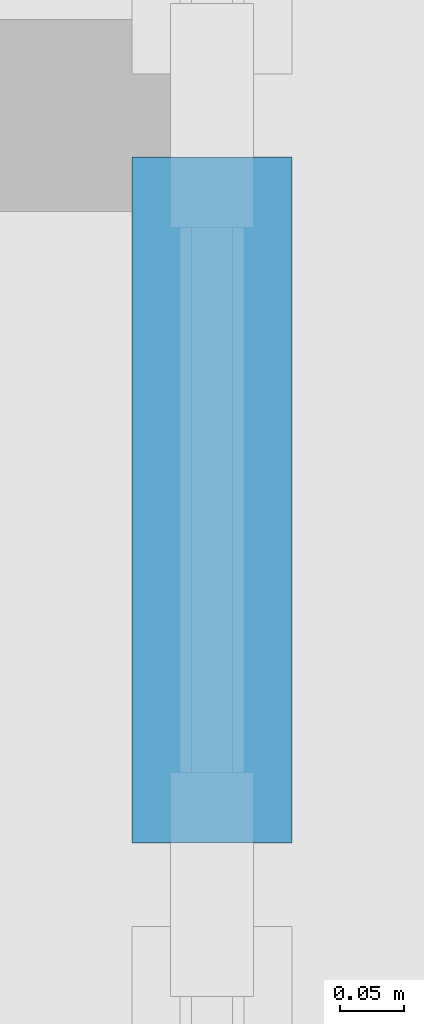
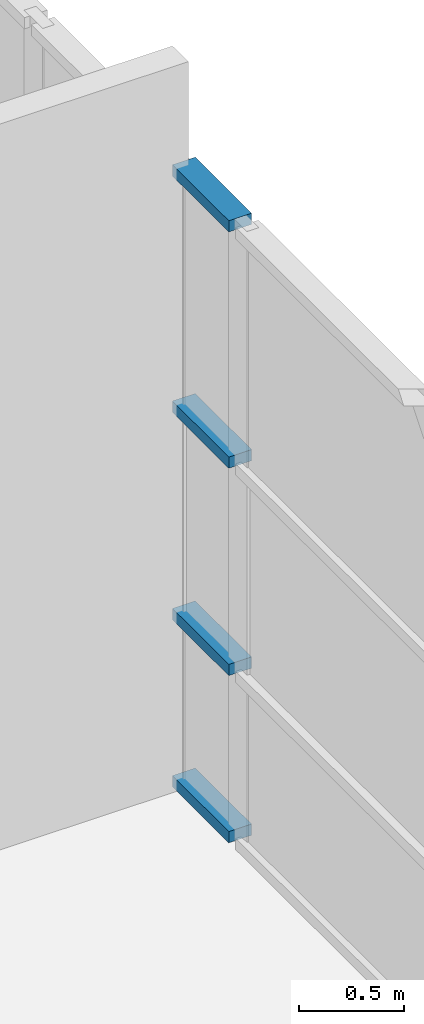
# One storey, part 13 of 64: 4 members, 1 element without a shape of its own.
"""IFC4 building model written with IfcOpenShell, lengths in metres."""

from ifc_helpers import new_model, si_unit, direction, frame, origin, origin_2d, place, context, subcontext, project, spatial, rectangle, extrude, material, layer, layer_set, material_profile, profile_set, type_object, element, aggregate, save


model = new_model("IFC4")

# Units and contexts
model_context = context("Model", 3, precision=1e-05, world=origin(), true_north=direction((0.0, 1.0)))
body_context = subcontext(model_context, "Body", "Model", "MODEL_VIEW")
ifc_project = project(units=[si_unit("LENGTHUNIT", "METRE"), si_unit("AREAUNIT", "SQUARE_METRE"), si_unit("VOLUMEUNIT", "CUBIC_METRE"), si_unit("PLANEANGLEUNIT", "RADIAN"), si_unit("MASSUNIT", "GRAM", prefix="KILO")], contexts=[model_context])

# Site, building, storey
site_placement = place(None, origin())
site = spatial("IfcSite", under=ifc_project, at=site_placement, CompositionType="ELEMENT")
building_placement = place(site_placement, origin())
building = spatial("IfcBuilding", under=site, at=building_placement, Name="Rulbaag Community and Learning Centre", CompositionType="ELEMENT")
storey_placement = place(building_placement, frame((0.0, 0.0, 5.39990234375)))
storey = spatial("IfcBuildingStorey", under=building, at=storey_placement, Name="L01", CompositionType="ELEMENT", Elevation=5.39990234375)

# Curtain wall, members
ifc_material_1 = material(Name="Aluminium", Category="aluminium")
ifc_layer = layer(ifc_material_1, 0.14990234375)
ifc_layer_set = layer_set([ifc_layer], Name="CW-L")
curtain_wall_type = type_object("IfcCurtainWallType", Name="CW-L", PredefinedType="USERDEFINED", material=ifc_layer_set)
curtain_wall_placement = place(storey_placement, origin())
curtain_wall = element("IfcCurtainWall", 1, at=curtain_wall_placement, inside=storey, type_object=curtain_wall_type, Name="GL-L01-08", ObjectType="STICK CURTAIN WALL", PredefinedType="USERDEFINED")
ifc_material_2 = material(Name="Aluminium transom", Category="aluminium")
ifc_material_profile = material_profile(ifc_material_2, rectangle(XDim=0.125, YDim=0.06494140625, at=origin_2d()), Name="AL 65x125 T")
ifc_profile_set = profile_set([ifc_material_profile], Name="Aluminium transom")
member_type = type_object("IfcMemberType", Name="CW-L-TRN", PredefinedType="USERDEFINED", material=ifc_profile_set)
member_1_placement = place(storey_placement, frame((168.0, 12.632568359375, 0.03271484375), z_axis=(0.0, 1.0, 0.0), x_axis=(-1.0, 0.0, 0.0)))
member_1 = element("IfcMember", 2, at=member_1_placement, type_object=member_type, Name="GL transom 3.1", ObjectType="TRANSOM", PredefinedType="USERDEFINED", context=body_context, shape_type="SweptSolid", body=[
    extrude(rectangle(XDim=0.125, YDim=0.06494140625, at=origin_2d()), origin(), (0.0, 0.0, 1.0), 0.534912109375),
])
member_2_placement = place(storey_placement, frame((168.0, 12.632568359375, 1.0), z_axis=(0.0, 1.0, 0.0), x_axis=(-1.0, 0.0, 0.0)))
member_2 = element("IfcMember", 3, at=member_2_placement, type_object=member_type, Name="GL transom 3.2", ObjectType="TRANSOM", PredefinedType="USERDEFINED", context=body_context, shape_type="SweptSolid", body=[
    extrude(rectangle(XDim=0.125, YDim=0.06494140625, at=origin_2d()), origin(), (0.0, 0.0, 1.0), 0.534912109375),
])
member_3_placement = place(storey_placement, frame((168.0, 12.632568359375, 2.2001953125), z_axis=(0.0, 1.0, 0.0), x_axis=(-1.0, 0.0, 0.0)))
member_3 = element("IfcMember", 4, at=member_3_placement, type_object=member_type, Name="GL transom 3.3", ObjectType="TRANSOM", PredefinedType="USERDEFINED", context=body_context, shape_type="SweptSolid", body=[
    extrude(rectangle(XDim=0.125, YDim=0.06494140625, at=origin_2d()), origin(), (0.0, 0.0, 1.0), 0.534912109375),
])
member_4_placement = place(storey_placement, frame((168.0, 12.632568359375, 3.567626953125), z_axis=(0.0, 1.0, 0.0), x_axis=(-1.0, 0.0, 0.0)))
member_4 = element("IfcMember", 5, at=member_4_placement, type_object=member_type, Name="GL transom 3.4", ObjectType="TRANSOM", PredefinedType="USERDEFINED", context=body_context, shape_type="SweptSolid", body=[
    extrude(rectangle(XDim=0.125, YDim=0.06494140625, at=origin_2d()), origin(), (0.0, 0.0, 1.0), 0.534912109375),
])
aggregate(curtain_wall, [member_1, member_2, member_3, member_4])

save(model, "model.ifc")
